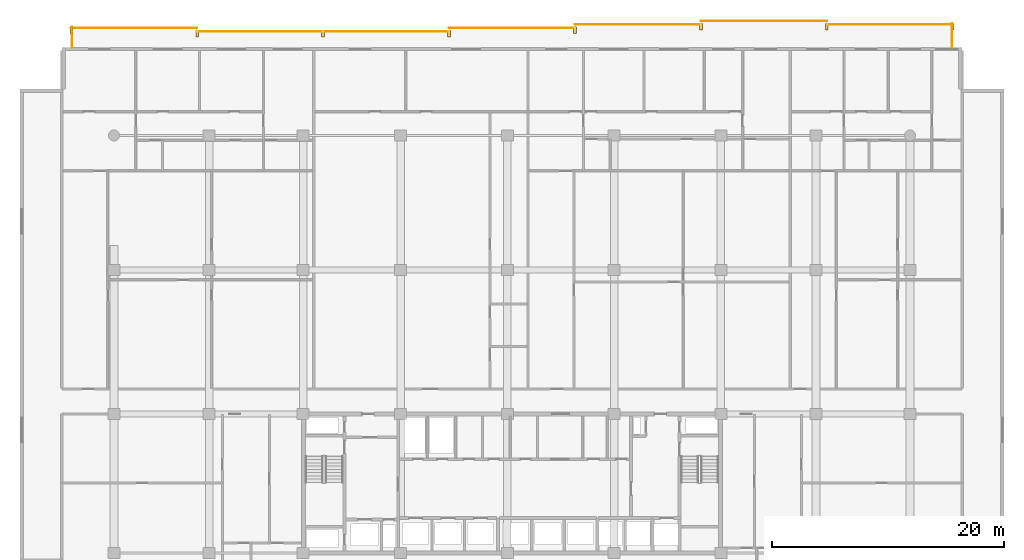
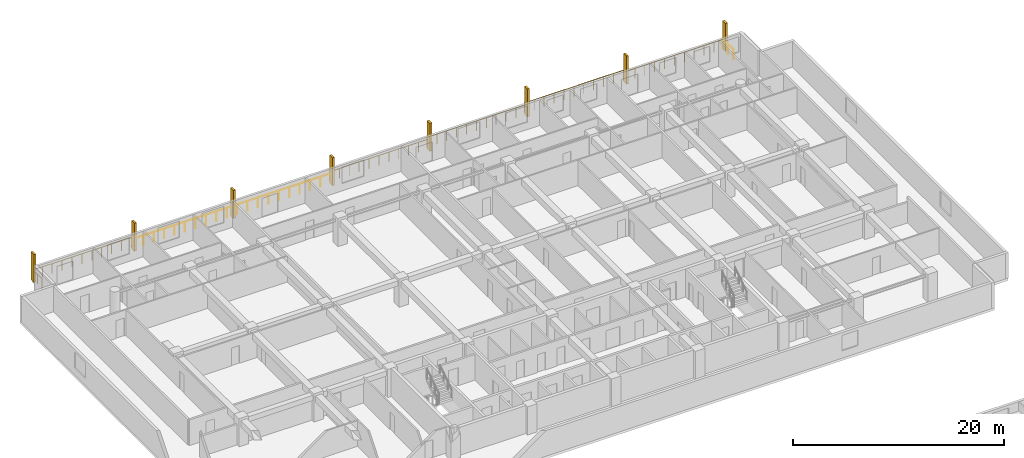
# One storey, part 23 of 23: 8 railings, 8 shading devices.
"""IFC4 building model written with IfcOpenShell, lengths in metres."""

from ifc_helpers import new_model, si_unit, direction, frame, origin, origin_2d, place, context, subcontext, project, spatial, rectangle, circle, extrude, material, type_object, element, save


model = new_model("IFC4")

# Units and contexts
model_context = context("Model", 3, precision=1e-05, world=origin(), true_north=direction((0.0, 1.0)))
body_context = subcontext(model_context, "Body", "Model", "MODEL_VIEW")
ifc_project = project(units=[si_unit("LENGTHUNIT", "METRE"), si_unit("AREAUNIT", "SQUARE_METRE"), si_unit("VOLUMEUNIT", "CUBIC_METRE"), si_unit("PLANEANGLEUNIT", "RADIAN"), si_unit("MASSUNIT", "GRAM", prefix="KILO")], contexts=[model_context])

# Site, building, storey
site_placement = place(None, origin())
site = spatial("IfcSite", under=ifc_project, at=site_placement, CompositionType="ELEMENT")
building_placement = place(site_placement, origin())
building = spatial("IfcBuilding", under=site, at=building_placement, Name="Korimba Cascade Residences", CompositionType="ELEMENT")
storey_placement = place(building_placement, frame((0.0, 0.0, 59.75)))
storey = spatial("IfcBuildingStorey", under=building, at=storey_placement, Name="L16", CompositionType="ELEMENT", Elevation=59.75)

# Railings
ifc_material_1 = material(Name="Laminated Glass and Bronze Balustrade", Category="glass")
railing_type = type_object("IfcRailingType", Name="RLG-LOG-1150", PredefinedType="BALUSTRADE", material=ifc_material_1)
railing_1_placement = place(storey_placement, frame((132.02001953125, 98.800048828125, 0.0)))
element("IfcRailing", 1, at=railing_1_placement, inside=storey, type_object=railing_type, Name="L16 Perimeter Guardrail RLG-L16-T1-LOG-01", PredefinedType="BALUSTRADE", context=body_context, shape_type="SweptSolid", body=[
    extrude(circle(Radius=0.02392578125, at=origin_2d()), frame((0.0, 0.0, 1.1259765625), z_axis=(0.0, 1.0, 0.0), x_axis=(-1.0, 0.0, 0.0)), (0.0, 0.0, 1.0), 2.050048828125),
    extrude(circle(Radius=0.02099609375, at=origin_2d()), origin(), (0.0, 0.0, 1.0), 1.101806640625),
    extrude(circle(Radius=0.02099609375, at=origin_2d()), frame((0.0, 1.02490234375, 0.0)), (0.0, 0.0, 1.0), 1.101806640625),
    extrude(circle(Radius=0.02099609375, at=origin_2d()), frame((0.0, 2.050048828125, 0.0)), (0.0, 0.0, 1.0), 1.101806640625),
])
for number, where, name in (
    (2, (132.10009765625, 100.77001953125, 0.0), "L16 Perimeter Guardrail RLG-L16-T1-LOG-02"),
    (3, (121.242919921875, 101.070068359375, 0.0), "L16 Perimeter Guardrail RLG-L16-T1-LOG-03"),
    (4, (110.3857421875, 100.77001953125, 0.0), "L16 Perimeter Guardrail RLG-L16-T1-LOG-04"),
    (5, (99.528564453125, 100.469970703125, 0.0), "L16 Perimeter Guardrail RLG-L16-T1-LOG-05"),
):
    element("IfcRailing", number, at=place(storey_placement, frame(where)), inside=storey, type_object=railing_type, Name=name, PredefinedType="BALUSTRADE", context=body_context, shape_type="SweptSolid", body=[
        extrude(circle(Radius=0.02392578125, at=origin_2d()), frame((0.0, 0.0, 1.1259765625), z_axis=(-1.0, 0.0, 0.0), x_axis=(0.0, -1.0, 0.0)), (0.0, 0.0, 1.0), 10.857177734375),
        extrude(circle(Radius=0.02099609375, at=origin_2d()), origin(), (0.0, 0.0, 1.0), 1.101806640625),
        extrude(circle(Radius=0.02099609375, at=origin_2d()), frame((-1.085693359375, 0.0, 0.0)), (0.0, 0.0, 1.0), 1.101806640625),
        extrude(circle(Radius=0.02099609375, at=origin_2d()), frame((-2.17138671875, 0.0, 0.0)), (0.0, 0.0, 1.0), 1.101806640625),
        extrude(circle(Radius=0.02099609375, at=origin_2d()), frame((-3.257080078125, 0.0, 0.0)), (0.0, 0.0, 1.0), 1.101806640625),
        extrude(circle(Radius=0.02099609375, at=origin_2d()), frame((-4.3427734375, 0.0, 0.0)), (0.0, 0.0, 1.0), 1.101806640625),
        extrude(circle(Radius=0.02099609375, at=origin_2d()), frame((-5.4287109375, 0.0, 0.0)), (0.0, 0.0, 1.0), 1.101806640625),
        extrude(circle(Radius=0.02099609375, at=origin_2d()), frame((-6.514404296875, 0.0, 0.0)), (0.0, 0.0, 1.0), 1.101806640625),
        extrude(circle(Radius=0.02099609375, at=origin_2d()), frame((-7.60009765625, 0.0, 0.0)), (0.0, 0.0, 1.0), 1.101806640625),
        extrude(circle(Radius=0.02099609375, at=origin_2d()), frame((-8.685791015625, 0.0, 0.0)), (0.0, 0.0, 1.0), 1.101806640625),
        extrude(circle(Radius=0.02099609375, at=origin_2d()), frame((-9.771484375, 0.0, 0.0)), (0.0, 0.0, 1.0), 1.101806640625),
        extrude(circle(Radius=0.02099609375, at=origin_2d()), frame((-10.857177734375, 0.0, 0.0)), (0.0, 0.0, 1.0), 1.101806640625),
    ])
railing_2_placement = place(storey_placement, frame((88.67138671875, 100.169921875, 0.0)))
element("IfcRailing", 6, at=railing_2_placement, inside=storey, type_object=railing_type, Name="L16 Perimeter Guardrail RLG-L16-T1-LOG-06", PredefinedType="BALUSTRADE", context=body_context, shape_type="SweptSolid", body=[
    extrude(circle(Radius=0.02392578125, at=origin_2d()), frame((0.0, 0.0, 1.1259765625), z_axis=(-1.0, 0.0, 0.0), x_axis=(0.0, -1.0, 0.0)), (0.0, 0.0, 1.0), 21.71435546875),
    extrude(circle(Radius=0.02099609375, at=origin_2d()), origin(), (0.0, 0.0, 1.0), 1.101806640625),
    extrude(circle(Radius=0.02099609375, at=origin_2d()), frame((-1.142822265625, 0.0, 0.0)), (0.0, 0.0, 1.0), 1.101806640625),
    extrude(circle(Radius=0.02099609375, at=origin_2d()), frame((-2.28564453125, 0.0, 0.0)), (0.0, 0.0, 1.0), 1.101806640625),
    extrude(circle(Radius=0.02099609375, at=origin_2d()), frame((-3.428466796875, 0.0, 0.0)), (0.0, 0.0, 1.0), 1.101806640625),
    extrude(circle(Radius=0.02099609375, at=origin_2d()), frame((-4.571533203125, 0.0, 0.0)), (0.0, 0.0, 1.0), 1.101806640625),
    extrude(circle(Radius=0.02099609375, at=origin_2d()), frame((-5.71435546875, 0.0, 0.0)), (0.0, 0.0, 1.0), 1.101806640625),
    extrude(circle(Radius=0.02099609375, at=origin_2d()), frame((-6.857177734375, 0.0, 0.0)), (0.0, 0.0, 1.0), 1.101806640625),
    extrude(circle(Radius=0.02099609375, at=origin_2d()), frame((-8.0, 0.0, 0.0)), (0.0, 0.0, 1.0), 1.101806640625),
    extrude(circle(Radius=0.02099609375, at=origin_2d()), frame((-9.142822265625, 0.0, 0.0)), (0.0, 0.0, 1.0), 1.101806640625),
    extrude(circle(Radius=0.02099609375, at=origin_2d()), frame((-10.28564453125, 0.0, 0.0)), (0.0, 0.0, 1.0), 1.101806640625),
    extrude(circle(Radius=0.02099609375, at=origin_2d()), frame((-11.4287109375, 0.0, 0.0)), (0.0, 0.0, 1.0), 1.101806640625),
    extrude(circle(Radius=0.02099609375, at=origin_2d()), frame((-12.571533203125, 0.0, 0.0)), (0.0, 0.0, 1.0), 1.101806640625),
    extrude(circle(Radius=0.02099609375, at=origin_2d()), frame((-13.71435546875, 0.0, 0.0)), (0.0, 0.0, 1.0), 1.101806640625),
    extrude(circle(Radius=0.02099609375, at=origin_2d()), frame((-14.857177734375, 0.0, 0.0)), (0.0, 0.0, 1.0), 1.101806640625),
    extrude(circle(Radius=0.02099609375, at=origin_2d()), frame((-16.0, 0.0, 0.0)), (0.0, 0.0, 1.0), 1.101806640625),
    extrude(circle(Radius=0.02099609375, at=origin_2d()), frame((-17.142822265625, 0.0, 0.0)), (0.0, 0.0, 1.0), 1.101806640625),
    extrude(circle(Radius=0.02099609375, at=origin_2d()), frame((-18.285888671875, 0.0, 0.0)), (0.0, 0.0, 1.0), 1.101806640625),
    extrude(circle(Radius=0.02099609375, at=origin_2d()), frame((-19.4287109375, 0.0, 0.0)), (0.0, 0.0, 1.0), 1.101806640625),
    extrude(circle(Radius=0.02099609375, at=origin_2d()), frame((-20.571533203125, 0.0, 0.0)), (0.0, 0.0, 1.0), 1.101806640625),
    extrude(circle(Radius=0.02099609375, at=origin_2d()), frame((-21.71435546875, 0.0, 0.0)), (0.0, 0.0, 1.0), 1.101806640625),
])
railing_3_placement = place(storey_placement, frame((66.95703125, 100.469970703125, 0.0)))
element("IfcRailing", 7, at=railing_3_placement, inside=storey, type_object=railing_type, Name="L16 Perimeter Guardrail RLG-L16-T1-LOG-07", PredefinedType="BALUSTRADE", context=body_context, shape_type="SweptSolid", body=[
    extrude(circle(Radius=0.02392578125, at=origin_2d()), frame((0.0, 0.0, 1.1259765625), z_axis=(-1.0, 0.0, 0.0), x_axis=(0.0, -1.0, 0.0)), (0.0, 0.0, 1.0), 10.85693359375),
    extrude(circle(Radius=0.02099609375, at=origin_2d()), origin(), (0.0, 0.0, 1.0), 1.101806640625),
    extrude(circle(Radius=0.02099609375, at=origin_2d()), frame((-1.085693359375, 0.0, 0.0)), (0.0, 0.0, 1.0), 1.101806640625),
    extrude(circle(Radius=0.02099609375, at=origin_2d()), frame((-2.17138671875, 0.0, 0.0)), (0.0, 0.0, 1.0), 1.101806640625),
    extrude(circle(Radius=0.02099609375, at=origin_2d()), frame((-3.257080078125, 0.0, 0.0)), (0.0, 0.0, 1.0), 1.101806640625),
    extrude(circle(Radius=0.02099609375, at=origin_2d()), frame((-4.3427734375, 0.0, 0.0)), (0.0, 0.0, 1.0), 1.101806640625),
    extrude(circle(Radius=0.02099609375, at=origin_2d()), frame((-5.428466796875, 0.0, 0.0)), (0.0, 0.0, 1.0), 1.101806640625),
    extrude(circle(Radius=0.02099609375, at=origin_2d()), frame((-6.51416015625, 0.0, 0.0)), (0.0, 0.0, 1.0), 1.101806640625),
    extrude(circle(Radius=0.02099609375, at=origin_2d()), frame((-7.599853515625, 0.0, 0.0)), (0.0, 0.0, 1.0), 1.101806640625),
    extrude(circle(Radius=0.02099609375, at=origin_2d()), frame((-8.685546875, 0.0, 0.0)), (0.0, 0.0, 1.0), 1.101806640625),
    extrude(circle(Radius=0.02099609375, at=origin_2d()), frame((-9.771240234375, 0.0, 0.0)), (0.0, 0.0, 1.0), 1.101806640625),
    extrude(circle(Radius=0.02099609375, at=origin_2d()), frame((-10.85693359375, 0.0, 0.0)), (0.0, 0.0, 1.0), 1.101806640625),
])
railing_4_placement = place(storey_placement, frame((56.179931640625, 100.550048828125, 0.0)))
element("IfcRailing", 8, at=railing_4_placement, inside=storey, type_object=railing_type, Name="L16 Perimeter Guardrail RLG-L16-T1-LOG-08", PredefinedType="BALUSTRADE", context=body_context, shape_type="SweptSolid", body=[
    extrude(circle(Radius=0.02392578125, at=origin_2d()), frame((0.0, 0.0, 1.1259765625), z_axis=(0.0, -1.0, 0.0), x_axis=(1.0, 0.0, 0.0)), (0.0, 0.0, 1.0), 1.75),
    extrude(circle(Radius=0.02099609375, at=origin_2d()), origin(), (0.0, 0.0, 1.0), 1.101806640625),
    extrude(circle(Radius=0.02099609375, at=origin_2d()), frame((0.0, -0.875, 0.0)), (0.0, 0.0, 1.0), 1.101806640625),
    extrude(circle(Radius=0.02099609375, at=origin_2d()), frame((0.0, -1.75, 0.0)), (0.0, 0.0, 1.0), 1.101806640625),
])

# Shading devices
ifc_material_2 = material(Name="Honed Sandstone Precast Fin", Category="masonry")
shading_device_type = type_object("IfcShadingDeviceType", Name="SHD-FIN-550", PredefinedType="USERDEFINED", material=ifc_material_2)
for number, where, z_axis, x_axis, name in (
    (9, (56.10009765625, 100.27490234375, 0.0), (0.0, 0.0, 1.0), (1.0, 0.0, 0.0), "L16 T1 Warm-Stone Loggia Fin 1"),
    (10, (66.95703125, 99.97509765625, 0.0), (0.0, 0.0, 1.0), (1.0, 0.0, 0.0), "L16 T1 Warm-Stone Loggia Fin 2"),
    (11, (77.814208984375, 99.97509765625, 0.0), (0.0, 0.0, 1.0), (1.0, 0.0, 0.0), "L16 T1 Warm-Stone Loggia Fin 3"),
    (12, (88.67138671875, 99.97509765625, 0.0), (0.0, 0.0, 1.0), (1.0, 0.0, 0.0), "L16 T1 Warm-Stone Loggia Fin 4"),
    (13, (99.528564453125, 100.27490234375, 0.0), (0.0, 0.0, 1.0), (1.0, 0.0, 0.0), "L16 T1 Warm-Stone Loggia Fin 5"),
    (14, (110.3857421875, 100.574951171875, 0.0), (0.0, 0.0, 1.0), (1.0, 0.0, 0.0), "L16 T1 Warm-Stone Loggia Fin 6"),
    (15, (121.242919921875, 100.574951171875, 0.0), (0.0, 0.0, 1.0), (1.0, 0.0, 0.0), "L16 T1 Warm-Stone Loggia Fin 7"),
    (16, (132.10009765625, 100.574951171875, 0.0), (0.0, 0.0, 1.0), (1.0, 0.0, 0.0), "L16 T1 Warm-Stone Loggia Fin 8"),
):
    element("IfcShadingDevice", number, at=place(storey_placement, frame(where, z_axis=z_axis, x_axis=x_axis)), inside=storey, type_object=shading_device_type, Name=name, ObjectType="FIN", PredefinedType="USERDEFINED", context=body_context, shape_type="SweptSolid", body=[
        extrude(rectangle(XDim=0.219970703125, YDim=0.550048828125, at=origin_2d()), origin(), (0.0, 0.0, 1.0), 3.25),
    ])

save(model, "model.ifc")
